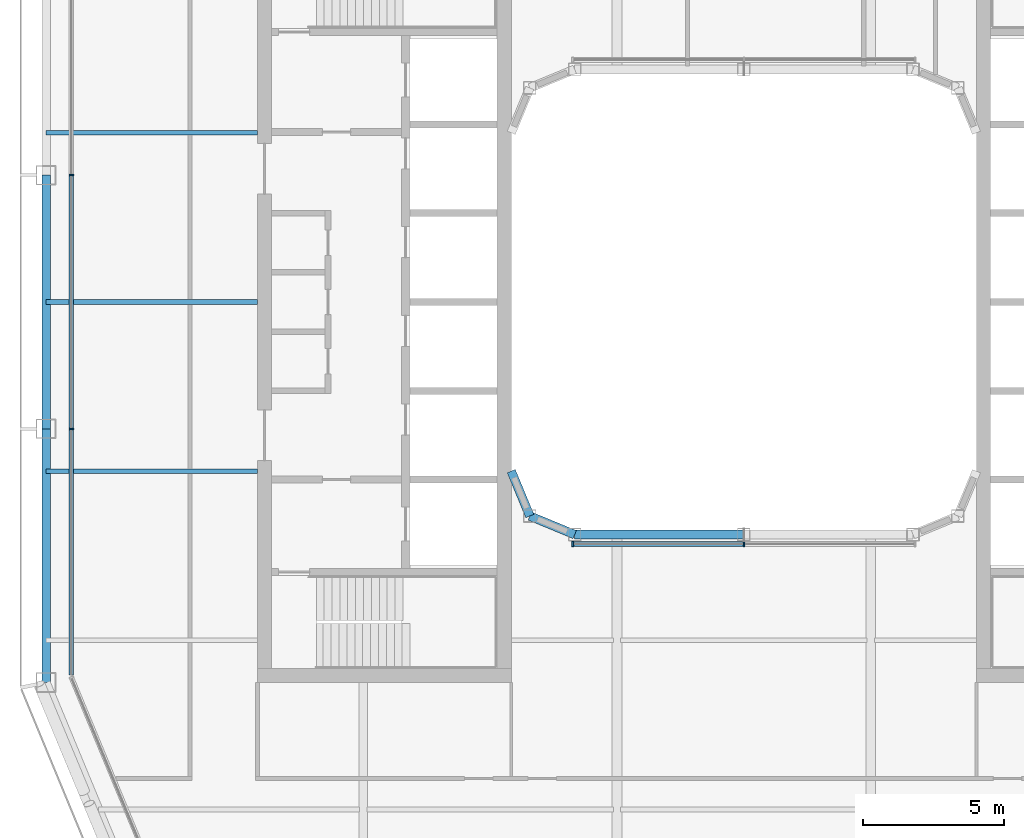
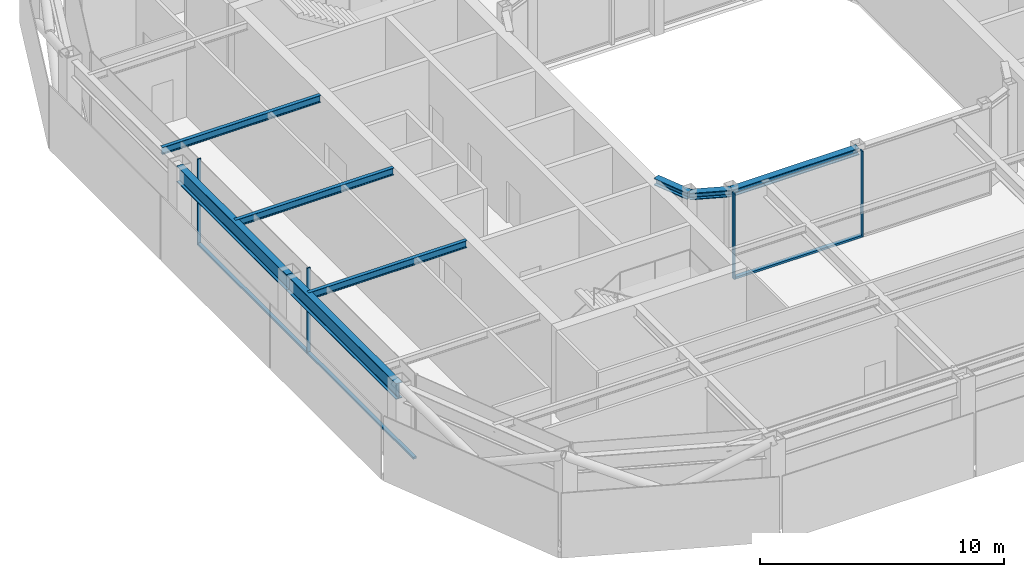
# One storey, part 4 of 21: 8 beams, 7 members, 2 elements without a shape of their own.
"""IFC4 building model written with IfcOpenShell, lengths in metres."""

import ifcopenshell
import ifcopenshell.guid

model = None  # the IFC model being written
_history = None  # IfcOwnerHistory: only IFC2X3 demands one
_inside = {}  # id of a spatial element -> (the spatial element, [elements in it])
_under = {}  # id of a project, library or spatial element -> (it, [spatial elements below it])
_declared = {}  # id of a project -> (the project, [libraries it declares])
_typed = {}  # id of a type object -> (the type object, [elements of that type])
_made_of = {}  # id of a material, layer set ... -> (it, [elements and type objects made of it])


def new_model(schema):
    """Start an empty IFC model of exactly this schema.

    Asked for "IFC4X3", IfcOpenShell would pick the latest addendum, in which some entities
    have other attributes; the version numbers below select the first issue.
    IFC2X3 requires an IfcOwnerHistory on every rooted entity: one is made here for all.
    """
    global model, _history
    if schema == "IFC4X3":
        model = ifcopenshell.file(schema_version=(4, 3, 0, 0))
    else:
        model = ifcopenshell.file(schema=schema)
    _inside.clear()
    _under.clear()
    _declared.clear()
    _typed.clear()
    _made_of.clear()
    _history = None
    if model.schema == "IFC2X3":
        org = make("IfcOrganization", Name="unknown")
        user = make(
            "IfcPersonAndOrganization",
            ThePerson=make("IfcPerson", FamilyName="unknown"),
            TheOrganization=org,
        )
        app = make(
            "IfcApplication",
            ApplicationDeveloper=org,
            Version="unknown",
            ApplicationFullName="unknown",
            ApplicationIdentifier="unknown",
        )
        _history = make(
            "IfcOwnerHistory",
            OwningUser=user,
            OwningApplication=app,
            ChangeAction="ADDED",
            CreationDate=0,
        )
    return model


def make(cls, **values):
    """One entity of the class cls with the attributes given. An attribute that is None is left unset."""
    return model.create_entity(
        cls, **{name: value for name, value in values.items() if value is not None}
    )


def rooted(cls, **values):
    """An entity with a GlobalId (a new one), such as an element, a storey or a relation."""
    return make(cls, GlobalId=ifcopenshell.guid.new(), OwnerHistory=_history, **values)


def si_unit(unit_type, name, prefix=None):
    """IfcSIUnit, for example si_unit("LENGTHUNIT", "METRE", prefix="MILLI")."""
    return make("IfcSIUnit", UnitType=unit_type, Prefix=prefix, Name=name)


def assignment(units):
    """IfcUnitAssignment: the units of a project."""
    return None if units is None else make("IfcUnitAssignment", Units=units)


def point(xyz):
    """IfcCartesianPoint."""
    return None if xyz is None else make("IfcCartesianPoint", Coordinates=xyz)


def direction(xyz):
    """IfcDirection."""
    return None if xyz is None else make("IfcDirection", DirectionRatios=xyz)


def frame(location, z_axis=None, x_axis=None):
    """IfcAxis2Placement3D, a coordinate frame: its origin and axes. An axis left out is left unset."""
    return make(
        "IfcAxis2Placement3D",
        Location=point(location),
        Axis=direction(z_axis),
        RefDirection=direction(x_axis),
    )


def frame_2d(location, x_axis=None):
    """IfcAxis2Placement2D, a coordinate frame in the plane: its origin and x axis."""
    return make(
        "IfcAxis2Placement2D", Location=point(location), RefDirection=direction(x_axis)
    )


def origin():
    """The frame at (0, 0, 0) with its axes left unset."""
    return frame((0.0, 0.0, 0.0))


def origin_2d():
    """The frame at (0, 0) in the plane with its x axis left unset."""
    return frame_2d((0.0, 0.0))


def place(relative_to, where):
    """IfcLocalPlacement: puts the frame where relative to a parent placement (None: the world)."""
    return make(
        "IfcLocalPlacement", PlacementRelTo=relative_to, RelativePlacement=where
    )


def context(
    kind, dimensions, precision=None, world=None, true_north=None, identifier=None
):
    """IfcGeometricRepresentationContext, for example the 3D "Model" context."""
    return make(
        "IfcGeometricRepresentationContext",
        ContextIdentifier=identifier,
        ContextType=kind,
        CoordinateSpaceDimension=dimensions,
        Precision=precision,
        WorldCoordinateSystem=world,
        TrueNorth=true_north,
    )


def subcontext(parent, identifier, kind, view, scale=None):
    """IfcGeometricRepresentationSubContext, for example "Body" below "Model"."""
    return make(
        "IfcGeometricRepresentationSubContext",
        ContextIdentifier=identifier,
        ContextType=kind,
        ParentContext=parent,
        TargetScale=scale,
        TargetView=view,
    )


def project(units=None, contexts=None):
    """IfcProject with its units and contexts."""
    return rooted(
        "IfcProject",
        Name="project",
        RepresentationContexts=contexts,
        UnitsInContext=assignment(units),
    )


def spatial(cls, under=None, at=None, **own):
    """A site, building, storey or space (cls), placed at a placement, below another one or the project."""
    s = rooted(cls, ObjectPlacement=at, **own)
    if under is not None:
        _under.setdefault(under.id(), (under, []))[1].append(s)
    return s


def profile(cls, at=None, kind="AREA", **sizes):
    """A parametric profile (cls). Its sizes go by their IFC names, for example OverallWidth=200.0."""
    return make(cls, ProfileType=kind, Position=at, **sizes)


def rectangle(**sizes):
    """IfcRectangleProfileDef."""
    return profile("IfcRectangleProfileDef", **sizes)


def i_section(**sizes):
    """IfcIShapeProfileDef."""
    return profile("IfcIShapeProfileDef", **sizes)


def extrude(swept, where, along, depth):
    """IfcExtrudedAreaSolid: the profile swept, set in the frame where, extruded along a direction by depth."""
    return make(
        "IfcExtrudedAreaSolid",
        SweptArea=swept,
        Position=where,
        ExtrudedDirection=direction(along),
        Depth=depth,
    )


def shape(context_of_items, identifier, shape_type, items):
    """IfcShapeRepresentation: the items that make up one representation, for example the "Body"."""
    return make(
        "IfcShapeRepresentation",
        ContextOfItems=context_of_items,
        RepresentationIdentifier=identifier,
        RepresentationType=shape_type,
        Items=items,
    )


def material(Name=None, Category=None):
    """IfcMaterial."""
    return make("IfcMaterial", Name=Name, Category=Category)


def layer(
    of_material, thickness, ventilated=None, Name=None, Category=None, Priority=None
):
    """IfcMaterialLayer: one layer of a wall or slab, of a material (None: an air gap)."""
    return make(
        "IfcMaterialLayer",
        Material=of_material,
        LayerThickness=thickness,
        IsVentilated=ventilated,
        Name=Name,
        Category=Category,
        Priority=Priority,
    )


def layer_set(layers, Name=None):
    """IfcMaterialLayerSet."""
    return make("IfcMaterialLayerSet", MaterialLayers=layers, LayerSetName=Name)


def material_profile(
    of_material, cross_section, Name=None, Category=None, Priority=None
):
    """IfcMaterialProfile: a cross section and its material."""
    return make(
        "IfcMaterialProfile",
        Name=Name,
        Material=of_material,
        Profile=cross_section,
        Priority=Priority,
        Category=Category,
    )


def profile_set(profiles, Name=None, composite=None):
    """IfcMaterialProfileSet."""
    return make(
        "IfcMaterialProfileSet",
        Name=Name,
        MaterialProfiles=profiles,
        CompositeProfile=composite,
    )


def made_of(thing, what):
    """Note that an element or type object is made of a material, layer set ...; save() writes the relation."""
    if what is not None:
        _made_of.setdefault(what.id(), (what, []))[1].append(thing)
    return thing


def type_object(cls, material=None, **own):
    """A type object (cls), such as IfcWallType, which elements share."""
    return made_of(rooted(cls, **own), material)


def element(
    cls,
    number,
    at=None,
    inside=None,
    cuts=None,
    type_object=None,
    material=None,
    context=None,
    identifier="Body",
    shape_type=None,
    held_by="IfcProductDefinitionShape",
    body=None,
    shapes=None,
    **own,
):
    """One element of the class cls, such as IfcWall. Its Tag is "e" and its number.

    at: its placement. inside: the storey or other place that contains it. cuts: it is an
    opening in that element (IfcRelVoidsElement). A single representation is given by context,
    identifier, shape_type and body (its items); several are given by shapes. held_by: the class
    of the entity that holds the representations. save() writes the other relations.
    """
    e = rooted(cls, Tag="e%d" % number, ObjectPlacement=at, **own)
    if body is not None:
        shapes = [shape(context, identifier, shape_type, body)]
    if shapes is not None:
        e.Representation = make(held_by, Representations=shapes)
    if inside is not None:
        _inside.setdefault(inside.id(), (inside, []))[1].append(e)
    if cuts is not None:
        rooted(
            "IfcRelVoidsElement", RelatingBuildingElement=cuts, RelatedOpeningElement=e
        )
    if type_object is not None:
        _typed.setdefault(type_object.id(), (type_object, []))[1].append(e)
    return made_of(e, material)


def aggregate(whole, parts):
    """IfcRelAggregates: a whole, such as a stair, and the parts it consists of."""
    return rooted("IfcRelAggregates", RelatingObject=whole, RelatedObjects=parts)


def save(model, path):
    """Write the relations noted so far, then the file.

    IfcRelAggregates (storeys below a building ...), IfcRelContainedInSpatialStructure (elements
    in a storey), IfcRelDefinesByType, IfcRelAssociatesMaterial and IfcRelDeclares: one each for
    every whole, place, type object, material and project.
    """
    for whole, parts in _under.values():
        aggregate(whole, parts)
    for where, things in _inside.values():
        rooted(
            "IfcRelContainedInSpatialStructure",
            RelatedElements=things,
            RelatingStructure=where,
        )
    for kind, things in _typed.values():
        rooted("IfcRelDefinesByType", RelatedObjects=things, RelatingType=kind)
    for what, things in _made_of.values():
        rooted("IfcRelAssociatesMaterial", RelatedObjects=things, RelatingMaterial=what)
    for by, libraries in _declared.values():
        rooted("IfcRelDeclares", RelatingContext=by, RelatedDefinitions=libraries)
    model.write(path)


model = new_model("IFC4")

# Units and contexts
model_context = context("Model", 3, precision=1e-05, world=origin(), true_north=direction((0.0, 1.0)))
body_context = subcontext(model_context, "Body", "Model", "MODEL_VIEW")
ifc_project = project(units=[si_unit("LENGTHUNIT", "METRE"), si_unit("AREAUNIT", "SQUARE_METRE"), si_unit("VOLUMEUNIT", "CUBIC_METRE"), si_unit("PLANEANGLEUNIT", "RADIAN"), si_unit("MASSUNIT", "GRAM", prefix="KILO")], contexts=[model_context])

# Site, building, storey
site_placement = place(None, origin())
site = spatial("IfcSite", under=ifc_project, at=site_placement, CompositionType="ELEMENT")
building_placement = place(site_placement, origin())
building = spatial("IfcBuilding", under=site, at=building_placement, Name="Siwar Civic Tower", CompositionType="ELEMENT")
storey_placement = place(building_placement, frame((0.0, 0.0, 343.699951171875)))
storey = spatial("IfcBuildingStorey", under=building, at=storey_placement, Name="L74", CompositionType="ELEMENT", Elevation=343.699951171875)

# Curtain wall, members
ifc_material_1 = material(Name="Aluminium and glass", Category="aluminium")
ifc_layer_1 = layer(ifc_material_1, 0.159912109375)
ifc_layer_set_1 = layer_set([ifc_layer_1], Name="Aluminium and glass")
curtain_wall_type_1 = type_object("IfcCurtainWallType", Name="ENV-CW-D", PredefinedType="NOTDEFINED", material=ifc_layer_set_1)
curtain_wall_1_placement = place(storey_placement, origin())
curtain_wall_1 = element("IfcCurtainWall", 1, at=curtain_wall_1_placement, inside=storey, type_object=curtain_wall_type_1, Name="Curtain wall D W", PredefinedType="NOTDEFINED")
ifc_material_2 = material(Name="Aluminium 6063-T6", Category="aluminium")
ifc_material_profile_1 = material_profile(ifc_material_2, rectangle(XDim=0.159912109375, YDim=0.06005859375, at=origin_2d()), Name="AL 160x60")
ifc_profile_set_1 = profile_set([ifc_material_profile_1], Name="Aluminium 6063-T6")
member_type_1 = type_object("IfcMemberType", Name="ENV-MULLION-D", PredefinedType="MULLION", material=ifc_profile_set_1)
member_1_placement = place(storey_placement, frame((-23.85009765625, 4.5, 0.0), z_axis=(0.0, 0.0, 1.0), x_axis=(1.0, 0.0, 0.0)))
member_1 = element("IfcMember", 2, at=member_1_placement, type_object=member_type_1, Name="Mullion D W 2", PredefinedType="MULLION", context=body_context, shape_type="SweptSolid", body=[
    extrude(rectangle(XDim=0.159912109375, YDim=0.06005859375, at=origin_2d()), origin(), (0.0, 0.0, 1.0), 4.300048828125),
])
member_2_placement = place(storey_placement, frame((-23.85009765625, -4.5, 0.0), z_axis=(0.0, 0.0, 1.0), x_axis=(1.0, 0.0, 0.0)))
member_2 = element("IfcMember", 3, at=member_2_placement, type_object=member_type_1, Name="Mullion D W 3", PredefinedType="MULLION", context=body_context, shape_type="SweptSolid", body=[
    extrude(rectangle(XDim=0.159912109375, YDim=0.06005859375, at=origin_2d()), origin(), (0.0, 0.0, 1.0), 4.300048828125),
])

ifc_material_3 = material(Name="Aluminium and glass", Category="aluminium")
ifc_layer_2 = layer(ifc_material_3, 0.179931640625)
ifc_layer_set_2 = layer_set([ifc_layer_2], Name="Aluminium and glass")
curtain_wall_type_2 = type_object("IfcCurtainWallType", Name="ENV-CW-W", PredefinedType="NOTDEFINED", material=ifc_layer_set_2)
curtain_wall_2_placement = place(storey_placement, origin())
curtain_wall_2 = element("IfcCurtainWall", 4, at=curtain_wall_2_placement, inside=storey, type_object=curtain_wall_type_2, Name="Curtain wall W WS", PredefinedType="NOTDEFINED")
ifc_material_4 = material(Name="Aluminium 6063-T6", Category="aluminium")
ifc_material_profile_2 = material_profile(ifc_material_4, rectangle(XDim=0.179931640625, YDim=0.06005859375, at=origin_2d()), Name="AL 180x60")
ifc_profile_set_2 = profile_set([ifc_material_profile_2], Name="Aluminium 6063-T6")
member_type_2 = type_object("IfcMemberType", Name="ENV-MULLION-W", PredefinedType="MULLION", material=ifc_profile_set_2)
member_3_placement = place(storey_placement, frame((-6.066650390625, -8.5849609375, 0.0), z_axis=(0.0, 0.0, 1.0), x_axis=(0.0, 1.0, 0.0)))
member_3 = element("IfcMember", 5, at=member_3_placement, type_object=member_type_2, Name="Mullion W WS 1", PredefinedType="MULLION", context=body_context, shape_type="SweptSolid", body=[
    extrude(rectangle(XDim=0.179931640625, YDim=0.06005859375, at=origin_2d()), origin(), (0.0, 0.0, 1.0), 4.300048828125),
])
member_4_placement = place(storey_placement, frame((0.0, -8.5849609375, 0.0), z_axis=(0.0, 0.0, 1.0), x_axis=(0.0, 1.0, 0.0)))
member_4 = element("IfcMember", 6, at=member_4_placement, type_object=member_type_2, Name="Mullion W WS 2", PredefinedType="MULLION", context=body_context, shape_type="SweptSolid", body=[
    extrude(rectangle(XDim=0.179931640625, YDim=0.06005859375, at=origin_2d()), origin(), (0.0, 0.0, 1.0), 4.300048828125),
])

# Member
ifc_material_5 = material(Name="Aluminium 6063-T6", Category="aluminium")
ifc_material_profile_3 = material_profile(ifc_material_5, rectangle(XDim=0.159912109375, YDim=0.10009765625, at=origin_2d()), Name="AL 160x100")
ifc_profile_set_3 = profile_set([ifc_material_profile_3], Name="Aluminium 6063-T6")
member_type_3 = type_object("IfcMemberType", Name="ENV-TRANSOM-D", PredefinedType="USERDEFINED", material=ifc_profile_set_3)
member_5_placement = place(storey_placement, frame((-23.85009765625, 4.469970703125, 0.050048828125), z_axis=(0.0, -1.0, 0.0), x_axis=(1.0, 0.0, 0.0)))
member_5 = element("IfcMember", 7, at=member_5_placement, type_object=member_type_3, Name="Transom D W 2", ObjectType="TRANSOM", PredefinedType="USERDEFINED", context=body_context, shape_type="SweptSolid", body=[
    extrude(rectangle(XDim=0.159912109375, YDim=0.10009765625, at=origin_2d()), origin(), (0.0, 0.0, 1.0), 8.93994140625),
])

member_6_placement = place(storey_placement, frame((-23.85009765625, -4.530029296875, 0.050048828125), z_axis=(0.0, -1.0, 0.0), x_axis=(1.0, 0.0, 0.0)))
member_6 = element("IfcMember", 8, at=member_6_placement, type_object=member_type_3, Name="Transom D W 3", ObjectType="TRANSOM", PredefinedType="USERDEFINED", context=body_context, shape_type="SweptSolid", body=[
    extrude(rectangle(XDim=0.159912109375, YDim=0.10009765625, at=origin_2d()), origin(), (0.0, 0.0, 1.0), 8.693115234375),
])

aggregate(curtain_wall_1, [member_1, member_2, member_5, member_6])

ifc_material_6 = material(Name="Aluminium 6063-T6", Category="aluminium")
ifc_material_profile_4 = material_profile(ifc_material_6, rectangle(XDim=0.179931640625, YDim=0.10009765625, at=origin_2d()), Name="AL 180x100")
ifc_profile_set_4 = profile_set([ifc_material_profile_4], Name="Aluminium 6063-T6")
member_type_4 = type_object("IfcMemberType", Name="ENV-TRANSOM-W", PredefinedType="USERDEFINED", material=ifc_profile_set_4)
member_7_placement = place(storey_placement, frame((-6.03662109375, -8.5849609375, 0.050048828125), z_axis=(1.0, 0.0, 0.0), x_axis=(0.0, 1.0, 0.0)))
member_7 = element("IfcMember", 9, at=member_7_placement, type_object=member_type_4, Name="Transom W WS 1", ObjectType="TRANSOM", PredefinedType="USERDEFINED", context=body_context, shape_type="SweptSolid", body=[
    extrude(rectangle(XDim=0.179931640625, YDim=0.10009765625, at=origin_2d()), origin(), (0.0, 0.0, 1.0), 6.006591796875),
])

aggregate(curtain_wall_2, [member_3, member_4, member_7])

# Beams
ifc_material_7 = material(Name="Steel S355", Category="steel")
ifc_material_profile_5 = material_profile(ifc_material_7, i_section(OverallWidth=0.169921875, OverallDepth=0.360107421875, WebThickness=0.008056640625, FlangeThickness=0.0126953125, FilletRadius=0.01806640625, at=origin_2d()), Name="IPE360")
ifc_profile_set_5 = profile_set([ifc_material_profile_5], Name="Steel S355")
beam_type_1 = type_object("IfcBeamType", Name="STR-FB-IPE360", PredefinedType="JOIST", material=ifc_profile_set_5)
for number, where, z_axis, x_axis, name in (
    (10, (-24.75, -6.0, 4.1201171875), (1.0, 0.0, 0.0), (0.0, 1.0, 0.0), "L74/bm/F016"),
    (11, (-24.75, 0.0, 4.1201171875), (1.0, 0.0, 0.0), (0.0, 1.0, 0.0), "L74/bm/F018"),
    (12, (-24.75, 6.0, 4.1201171875), (1.0, 0.0, 0.0), (0.0, 1.0, 0.0), "L74/bm/F020"),
):
    element("IfcBeam", number, at=place(storey_placement, frame(where, z_axis=z_axis, x_axis=x_axis)), inside=storey, type_object=beam_type_1, Name=name, PredefinedType="JOIST", context=body_context, shape_type="SweptSolid", body=[
        extrude(i_section(OverallWidth=0.169921875, OverallDepth=0.360107421875, WebThickness=0.008056640625, FlangeThickness=0.0126953125, FilletRadius=0.01806640625, at=origin_2d()), origin(), (0.0, 0.0, 1.0), 7.5),
    ])
ifc_material_8 = material(Name="Steel S355", Category="steel")
ifc_material_profile_6 = material_profile(ifc_material_8, i_section(OverallWidth=0.31005859375, OverallDepth=0.340087890625, WebThickness=0.02099609375, FlangeThickness=0.0390625, FilletRadius=0.027099609375, at=origin_2d()), Name="HEM300")
ifc_profile_set_6 = profile_set([ifc_material_profile_6], Name="Steel S355")
beam_type_2 = type_object("IfcBeamType", Name="STR-RB-HEM300", PredefinedType="BEAM", material=ifc_profile_set_6)
beam_1_placement = place(storey_placement, frame((-7.591064453125, -7.591064453125, 4.130126953125), z_axis=(0.923901072997, -0.382631424892, 0.0), x_axis=(0.382631424892, 0.923901072997, 0.0)))
element("IfcBeam", 13, at=beam_1_placement, inside=storey, type_object=beam_type_2, Name="L74/bm/RS0", PredefinedType="BEAM", context=body_context, shape_type="SweptSolid", body=[
    extrude(i_section(OverallWidth=0.31005859375, OverallDepth=0.340087890625, WebThickness=0.02099609375, FlangeThickness=0.0390625, FilletRadius=0.027099609375, at=origin_2d()), origin(), (0.0, 0.0, 1.0), 1.72216796875),
])
beam_2_placement = place(storey_placement, frame((-6.0, -8.25, 4.130126953125), z_axis=(1.0, 0.0, 0.0), x_axis=(0.0, 1.0, 0.0)))
element("IfcBeam", 14, at=beam_2_placement, inside=storey, type_object=beam_type_2, Name="L74/bm/RS1", PredefinedType="BEAM", context=body_context, shape_type="SweptSolid", body=[
    extrude(i_section(OverallWidth=0.31005859375, OverallDepth=0.340087890625, WebThickness=0.02099609375, FlangeThickness=0.0390625, FilletRadius=0.027099609375, at=origin_2d()), origin(), (0.0, 0.0, 1.0), 6.0),
])
beam_3_placement = place(storey_placement, frame((-7.591064453125, -7.591064453125, 4.130126953125), z_axis=(-0.382631424892, 0.923901072997, 0.0), x_axis=(-0.923901072997, -0.382631424892, 0.0)))
element("IfcBeam", 15, at=beam_3_placement, inside=storey, type_object=beam_type_2, Name="L74/bm/RSEW", PredefinedType="BEAM", context=body_context, shape_type="SweptSolid", body=[
    extrude(i_section(OverallWidth=0.31005859375, OverallDepth=0.340087890625, WebThickness=0.02099609375, FlangeThickness=0.0390625, FilletRadius=0.027099609375, at=origin_2d()), origin(), (0.0, 0.0, 1.0), 1.72216796875),
])
ifc_material_9 = material(Name="Steel S355", Category="steel")
ifc_material_profile_7 = material_profile(ifc_material_9, i_section(OverallWidth=0.300048828125, OverallDepth=0.800048828125, WebThickness=0.017578125, FlangeThickness=0.032958984375, FilletRadius=0.030029296875, at=origin_2d()), Name="HEB800")
ifc_profile_set_7 = profile_set([ifc_material_profile_7], Name="Steel S355")
beam_type_3 = type_object("IfcBeamType", Name="STR-SB-HEB800", PredefinedType="BEAM", material=ifc_profile_set_7)
for number, where, z_axis, x_axis, name in (
    (16, (-24.75, 4.5, 3.900146484375), (0.0, -1.0, 0.0), (1.0, 0.0, 0.0), "L74/bm/SW-1"),
    (17, (-24.75, -4.5, 3.900146484375), (0.0, -1.0, 0.0), (1.0, 0.0, 0.0), "L74/bm/SW-2"),
):
    element("IfcBeam", number, at=place(storey_placement, frame(where, z_axis=z_axis, x_axis=x_axis)), inside=storey, type_object=beam_type_3, Name=name, PredefinedType="BEAM", context=body_context, shape_type="SweptSolid", body=[
        extrude(i_section(OverallWidth=0.300048828125, OverallDepth=0.800048828125, WebThickness=0.017578125, FlangeThickness=0.032958984375, FilletRadius=0.030029296875, at=origin_2d()), origin(), (0.0, 0.0, 1.0), 9.0),
    ])

save(model, "model.ifc")
